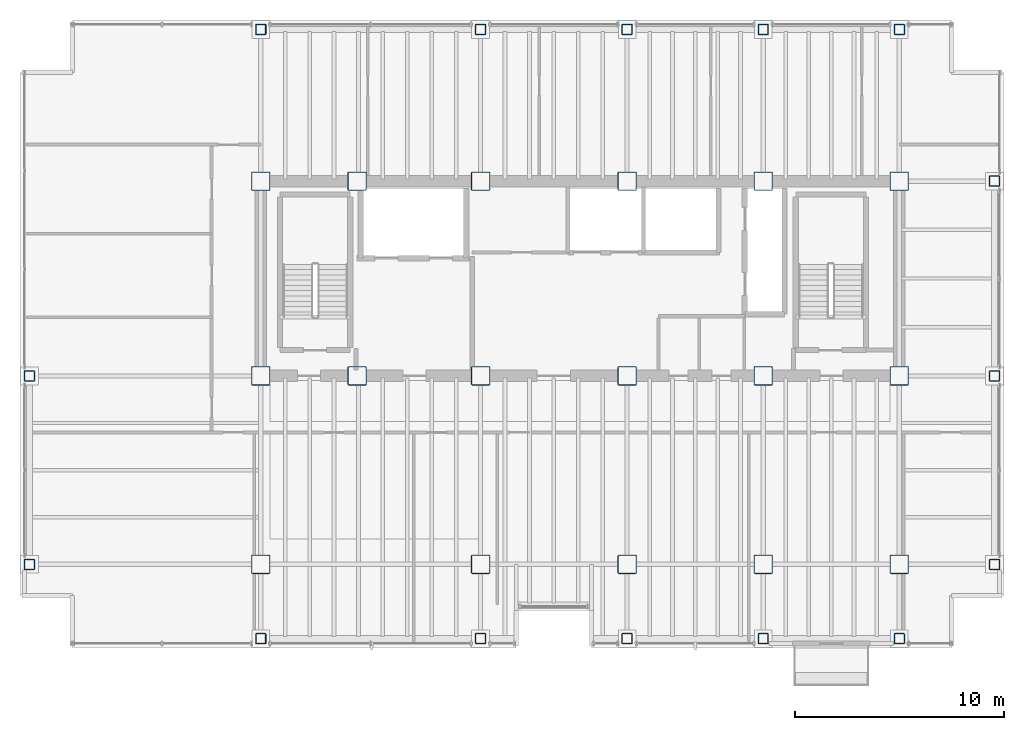
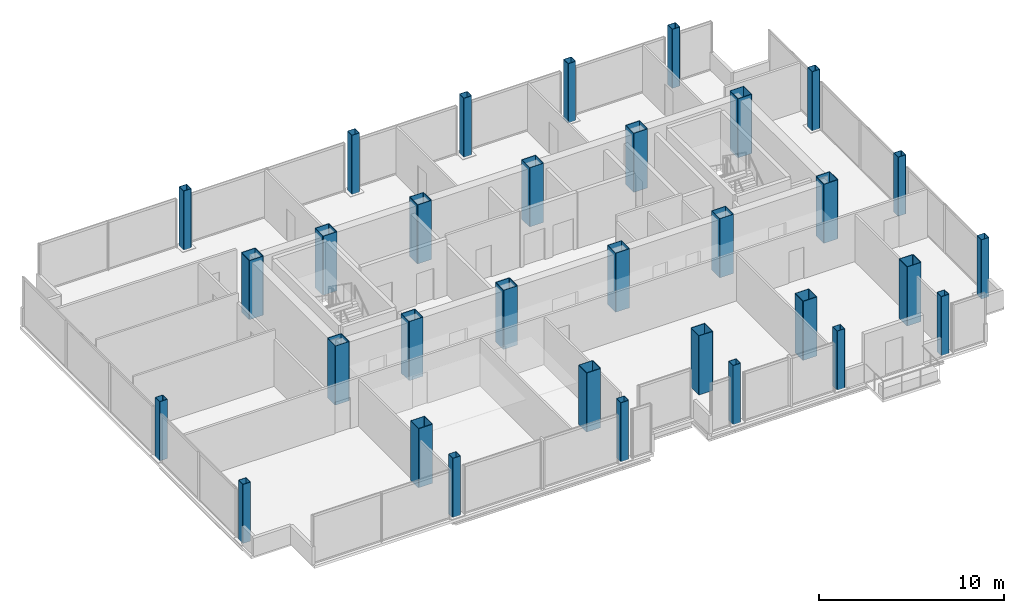
# One storey, part 1 of 19: 32 columns.
"""IFC4 building model written with IfcOpenShell, lengths in metres."""

from ifc_helpers import new_model, si_unit, direction, frame, origin, origin_2d, place, context, subcontext, project, spatial, hollow_rectangle, extrude, material, material_profile, profile_set, type_object, element, save


model = new_model("IFC4")

# Units and contexts
model_context = context("Model", 3, precision=1e-05, world=origin(), true_north=direction((0.0, 1.0)))
body_context = subcontext(model_context, "Body", "Model", "MODEL_VIEW")
ifc_project = project(units=[si_unit("LENGTHUNIT", "METRE"), si_unit("AREAUNIT", "SQUARE_METRE"), si_unit("VOLUMEUNIT", "CUBIC_METRE"), si_unit("PLANEANGLEUNIT", "RADIAN"), si_unit("MASSUNIT", "GRAM", prefix="KILO")], contexts=[model_context])

# Site, building, storey
site_placement = place(None, origin())
site = spatial("IfcSite", under=ifc_project, at=site_placement, CompositionType="ELEMENT")
building_placement = place(site_placement, origin())
building = spatial("IfcBuilding", under=site, at=building_placement, Name="Noeulbin Bourse Tower", CompositionType="ELEMENT")
storey_placement = place(building_placement, frame((0.0, 0.0, 150.0)))
storey = spatial("IfcBuildingStorey", under=building, at=storey_placement, Name="L37", CompositionType="ELEMENT", Elevation=150.0)

# Columns
ifc_material_1 = material(Name="Steel S355", Category="steel")
ifc_material_profile_1 = material_profile(ifc_material_1, hollow_rectangle(XDim=0.5, YDim=0.5, WallThickness=0.02392578125, InnerFilletRadius=0.011962890625, OuterFilletRadius=0.035888671875, at=origin_2d()), Name="BOX-500x500x24", Category="LoadBearing")
ifc_profile_set_1 = profile_set([ifc_material_profile_1], Name="Steel S355")
column_type_1 = type_object("IfcColumnType", Name="COL-PER-Z2", PredefinedType="COLUMN", material=ifc_profile_set_1)
for number, where, z_axis, x_axis, name in (
    (1, (2.449951171875, 20.0, 0.0), (0.0, 0.0, 1.0), (1.0, 0.0, 0.0), "Tower Perimeter Column COL-PER-Z2 01"),
    (2, (2.449951171875, 29.0, 0.0), (0.0, 0.0, 1.0), (1.0, 0.0, 0.0), "Tower Perimeter Column COL-PER-Z2 02"),
    (3, (13.5, 16.449951171875, 0.0), (0.0, 0.0, 1.0), (1.0, 0.0, 0.0), "Tower Perimeter Column COL-PER-Z2 03"),
    (4, (13.5, 45.550048828125, 0.0), (0.0, 0.0, 1.0), (1.0, 0.0, 0.0), "Tower Perimeter Column COL-PER-Z2 04"),
    (5, (24.0, 16.449951171875, 0.0), (0.0, 0.0, 1.0), (1.0, 0.0, 0.0), "Tower Perimeter Column COL-PER-Z2 05"),
    (6, (24.0, 45.550048828125, 0.0), (0.0, 0.0, 1.0), (1.0, 0.0, 0.0), "Tower Perimeter Column COL-PER-Z2 06"),
    (7, (31.0, 16.449951171875, 0.0), (0.0, 0.0, 1.0), (1.0, 0.0, 0.0), "Tower Perimeter Column COL-PER-Z2 07"),
    (8, (31.0, 45.550048828125, 0.0), (0.0, 0.0, 1.0), (1.0, 0.0, 0.0), "Tower Perimeter Column COL-PER-Z2 08"),
    (9, (37.5, 16.449951171875, 0.0), (0.0, 0.0, 1.0), (1.0, 0.0, 0.0), "Tower Perimeter Column COL-PER-Z2 09"),
    (10, (37.5, 45.550048828125, 0.0), (0.0, 0.0, 1.0), (1.0, 0.0, 0.0), "Tower Perimeter Column COL-PER-Z2 10"),
    (11, (44.0, 16.449951171875, 0.0), (0.0, 0.0, 1.0), (1.0, 0.0, 0.0), "Tower Perimeter Column COL-PER-Z2 11"),
    (12, (44.0, 45.550048828125, 0.0), (0.0, 0.0, 1.0), (1.0, 0.0, 0.0), "Tower Perimeter Column COL-PER-Z2 12"),
    (13, (48.550048828125, 20.0, 0.0), (0.0, 0.0, 1.0), (1.0, 0.0, 0.0), "Tower Perimeter Column COL-PER-Z2 13"),
    (14, (48.550048828125, 29.0, 0.0), (0.0, 0.0, 1.0), (1.0, 0.0, 0.0), "Tower Perimeter Column COL-PER-Z2 14"),
    (15, (48.550048828125, 38.300048828125, 0.0), (0.0, 0.0, 1.0), (1.0, 0.0, 0.0), "Tower Perimeter Column COL-PER-Z2 15"),
):
    element("IfcColumn", number, at=place(storey_placement, frame(where, z_axis=z_axis, x_axis=x_axis)), inside=storey, type_object=column_type_1, Name=name, PredefinedType="COLUMN", context=body_context, shape_type="SweptSolid", body=[
        extrude(hollow_rectangle(XDim=0.5, YDim=0.5, WallThickness=0.02392578125, InnerFilletRadius=0.011962890625, OuterFilletRadius=0.035888671875, at=origin_2d()), origin(), (0.0, 0.0, 1.0), 3.89990234375),
    ])
ifc_material_2 = material(Name="Steel S460", Category="steel")
ifc_material_profile_2 = material_profile(ifc_material_2, hollow_rectangle(XDim=0.89990234375, YDim=0.89990234375, WallThickness=0.034912109375, InnerFilletRadius=0.01708984375, OuterFilletRadius=0.052001953125, at=origin_2d()), Name="BOX-900x900x35", Category="LoadBearing")
ifc_profile_set_2 = profile_set([ifc_material_profile_2], Name="Steel S460")
column_type_2 = type_object("IfcColumnType", Name="COL-TRK-Z2", PredefinedType="COLUMN", material=ifc_profile_set_2)
for number, where, z_axis, x_axis, name in (
    (16, (13.5, 29.0, 0.0), (0.0, 0.0, 1.0), (1.0, 0.0, 0.0), "Tower Trunk Mega-Column COL-TRK-Z2 01"),
    (17, (13.5, 38.300048828125, 0.0), (0.0, 0.0, 1.0), (1.0, 0.0, 0.0), "Tower Trunk Mega-Column COL-TRK-Z2 02"),
    (18, (18.10009765625, 29.0, 0.0), (0.0, 0.0, 1.0), (1.0, 0.0, 0.0), "Tower Trunk Mega-Column COL-TRK-Z2 03"),
    (19, (18.10009765625, 38.300048828125, 0.0), (0.0, 0.0, 1.0), (1.0, 0.0, 0.0), "Tower Trunk Mega-Column COL-TRK-Z2 04"),
    (20, (24.0, 29.0, 0.0), (0.0, 0.0, 1.0), (1.0, 0.0, 0.0), "Tower Trunk Mega-Column COL-TRK-Z2 05"),
    (21, (24.0, 38.300048828125, 0.0), (0.0, 0.0, 1.0), (1.0, 0.0, 0.0), "Tower Trunk Mega-Column COL-TRK-Z2 06"),
    (22, (31.0, 29.0, 0.0), (0.0, 0.0, 1.0), (1.0, 0.0, 0.0), "Tower Trunk Mega-Column COL-TRK-Z2 07"),
    (23, (31.0, 38.300048828125, 0.0), (0.0, 0.0, 1.0), (1.0, 0.0, 0.0), "Tower Trunk Mega-Column COL-TRK-Z2 08"),
    (24, (37.5, 29.0, 0.0), (0.0, 0.0, 1.0), (1.0, 0.0, 0.0), "Tower Trunk Mega-Column COL-TRK-Z2 09"),
    (25, (37.5, 38.300048828125, 0.0), (0.0, 0.0, 1.0), (1.0, 0.0, 0.0), "Tower Trunk Mega-Column COL-TRK-Z2 10"),
    (26, (44.0, 29.0, 0.0), (0.0, 0.0, 1.0), (1.0, 0.0, 0.0), "Tower Trunk Mega-Column COL-TRK-Z2 11"),
    (27, (44.0, 38.300048828125, 0.0), (0.0, 0.0, 1.0), (1.0, 0.0, 0.0), "Tower Trunk Mega-Column COL-TRK-Z2 12"),
    (28, (13.5, 20.0, 0.0), (0.0, 0.0, 1.0), (1.0, 0.0, 0.0), "Tower Trunk Mega-Column COL-TRK-Z2 13"),
    (29, (24.0, 20.0, 0.0), (0.0, 0.0, 1.0), (1.0, 0.0, 0.0), "Tower Trunk Mega-Column COL-TRK-Z2 14"),
    (30, (31.0, 20.0, 0.0), (0.0, 0.0, 1.0), (1.0, 0.0, 0.0), "Tower Trunk Mega-Column COL-TRK-Z2 15"),
    (31, (37.5, 20.0, 0.0), (0.0, 0.0, 1.0), (1.0, 0.0, 0.0), "Tower Trunk Mega-Column COL-TRK-Z2 16"),
    (32, (44.0, 20.0, 0.0), (0.0, 0.0, 1.0), (1.0, 0.0, 0.0), "Tower Trunk Mega-Column COL-TRK-Z2 17"),
):
    element("IfcColumn", number, at=place(storey_placement, frame(where, z_axis=z_axis, x_axis=x_axis)), inside=storey, type_object=column_type_2, Name=name, PredefinedType="COLUMN", context=body_context, shape_type="SweptSolid", body=[
        extrude(hollow_rectangle(XDim=0.89990234375, YDim=0.89990234375, WallThickness=0.034912109375, InnerFilletRadius=0.01708984375, OuterFilletRadius=0.052001953125, at=origin_2d()), origin(), (0.0, 0.0, 1.0), 3.89990234375),
    ])

save(model, "model.ifc")
